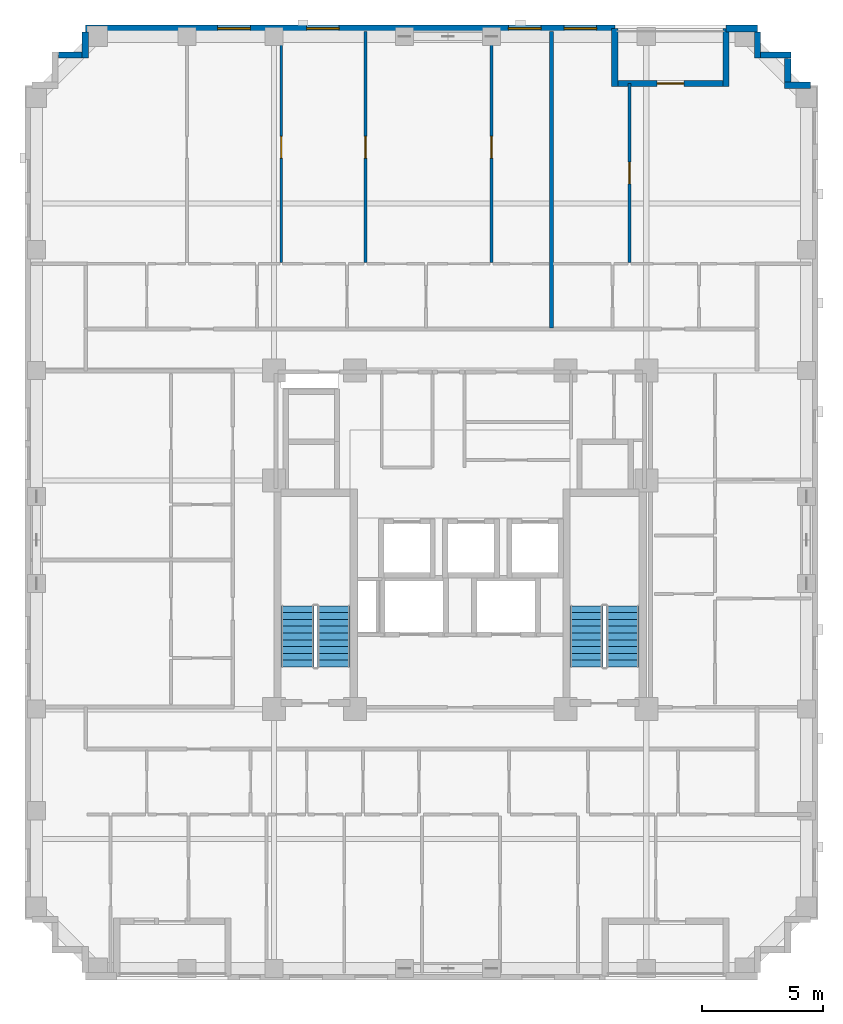
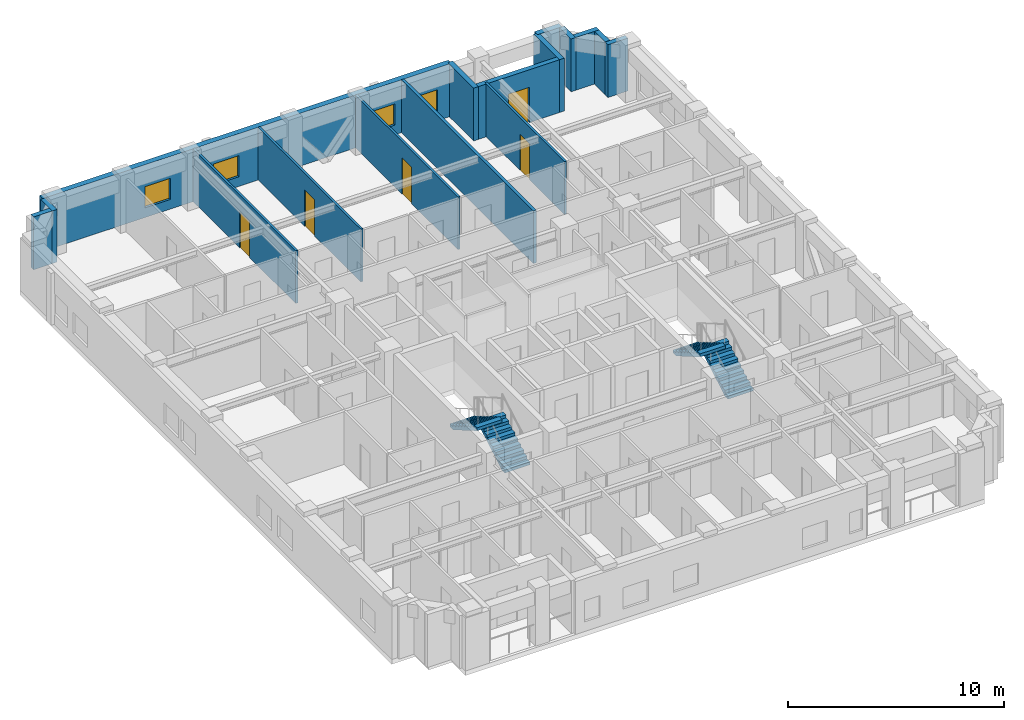
# One storey, part 8 of 12: 16 walls, 5 doors, 4 stair flights, 4 windows, 9 openings, 2 elements without a shape of their own.
"""IFC4 building model written with IfcOpenShell, lengths in metres."""

import ifcopenshell
import ifcopenshell.guid

model = None  # the IFC model being written
_history = None  # IfcOwnerHistory: only IFC2X3 demands one
_inside = {}  # id of a spatial element -> (the spatial element, [elements in it])
_under = {}  # id of a project, library or spatial element -> (it, [spatial elements below it])
_declared = {}  # id of a project -> (the project, [libraries it declares])
_typed = {}  # id of a type object -> (the type object, [elements of that type])
_made_of = {}  # id of a material, layer set ... -> (it, [elements and type objects made of it])


def new_model(schema):
    """Start an empty IFC model of exactly this schema.

    Asked for "IFC4X3", IfcOpenShell would pick the latest addendum, in which some entities
    have other attributes; the version numbers below select the first issue.
    IFC2X3 requires an IfcOwnerHistory on every rooted entity: one is made here for all.
    """
    global model, _history
    if schema == "IFC4X3":
        model = ifcopenshell.file(schema_version=(4, 3, 0, 0))
    else:
        model = ifcopenshell.file(schema=schema)
    _inside.clear()
    _under.clear()
    _declared.clear()
    _typed.clear()
    _made_of.clear()
    _history = None
    if model.schema == "IFC2X3":
        org = make("IfcOrganization", Name="unknown")
        user = make(
            "IfcPersonAndOrganization",
            ThePerson=make("IfcPerson", FamilyName="unknown"),
            TheOrganization=org,
        )
        app = make(
            "IfcApplication",
            ApplicationDeveloper=org,
            Version="unknown",
            ApplicationFullName="unknown",
            ApplicationIdentifier="unknown",
        )
        _history = make(
            "IfcOwnerHistory",
            OwningUser=user,
            OwningApplication=app,
            ChangeAction="ADDED",
            CreationDate=0,
        )
    return model


def make(cls, **values):
    """One entity of the class cls with the attributes given. An attribute that is None is left unset."""
    return model.create_entity(
        cls, **{name: value for name, value in values.items() if value is not None}
    )


def rooted(cls, **values):
    """An entity with a GlobalId (a new one), such as an element, a storey or a relation."""
    return make(cls, GlobalId=ifcopenshell.guid.new(), OwnerHistory=_history, **values)


def si_unit(unit_type, name, prefix=None):
    """IfcSIUnit, for example si_unit("LENGTHUNIT", "METRE", prefix="MILLI")."""
    return make("IfcSIUnit", UnitType=unit_type, Prefix=prefix, Name=name)


def derived_unit(unit_type, elements):
    """IfcDerivedUnit: a product of units, each with its exponent."""
    return make(
        "IfcDerivedUnit",
        Elements=[
            make("IfcDerivedUnitElement", Unit=unit, Exponent=power)
            for unit, power in elements
        ],
        UnitType=unit_type,
    )


def assignment(units):
    """IfcUnitAssignment: the units of a project."""
    return None if units is None else make("IfcUnitAssignment", Units=units)


def point(xyz):
    """IfcCartesianPoint."""
    return None if xyz is None else make("IfcCartesianPoint", Coordinates=xyz)


def direction(xyz):
    """IfcDirection."""
    return None if xyz is None else make("IfcDirection", DirectionRatios=xyz)


def frame(location, z_axis=None, x_axis=None):
    """IfcAxis2Placement3D, a coordinate frame: its origin and axes. An axis left out is left unset."""
    return make(
        "IfcAxis2Placement3D",
        Location=point(location),
        Axis=direction(z_axis),
        RefDirection=direction(x_axis),
    )


def frame_2d(location, x_axis=None):
    """IfcAxis2Placement2D, a coordinate frame in the plane: its origin and x axis."""
    return make(
        "IfcAxis2Placement2D", Location=point(location), RefDirection=direction(x_axis)
    )


def origin():
    """The frame at (0, 0, 0) with its axes left unset."""
    return frame((0.0, 0.0, 0.0))


def place(relative_to, where):
    """IfcLocalPlacement: puts the frame where relative to a parent placement (None: the world)."""
    return make(
        "IfcLocalPlacement", PlacementRelTo=relative_to, RelativePlacement=where
    )


def context(
    kind, dimensions, precision=None, world=None, true_north=None, identifier=None
):
    """IfcGeometricRepresentationContext, for example the 3D "Model" context."""
    return make(
        "IfcGeometricRepresentationContext",
        ContextIdentifier=identifier,
        ContextType=kind,
        CoordinateSpaceDimension=dimensions,
        Precision=precision,
        WorldCoordinateSystem=world,
        TrueNorth=true_north,
    )


def subcontext(parent, identifier, kind, view, scale=None):
    """IfcGeometricRepresentationSubContext, for example "Body" below "Model"."""
    return make(
        "IfcGeometricRepresentationSubContext",
        ContextIdentifier=identifier,
        ContextType=kind,
        ParentContext=parent,
        TargetScale=scale,
        TargetView=view,
    )


def project(units=None, contexts=None):
    """IfcProject with its units and contexts."""
    return rooted(
        "IfcProject",
        Name="project",
        RepresentationContexts=contexts,
        UnitsInContext=assignment(units),
    )


def spatial(cls, under=None, at=None, **own):
    """A site, building, storey or space (cls), placed at a placement, below another one or the project."""
    s = rooted(cls, ObjectPlacement=at, **own)
    if under is not None:
        _under.setdefault(under.id(), (under, []))[1].append(s)
    return s


def polyline(points):
    """IfcPolyline through the points."""
    return make("IfcPolyline", Points=[point(p) for p in points])


def profile(cls, at=None, kind="AREA", **sizes):
    """A parametric profile (cls). Its sizes go by their IFC names, for example OverallWidth=200.0."""
    return make(cls, ProfileType=kind, Position=at, **sizes)


def rectangle(**sizes):
    """IfcRectangleProfileDef."""
    return profile("IfcRectangleProfileDef", **sizes)


def outline(outer, holes=None, kind="AREA"):
    """IfcArbitraryClosedProfileDef: a profile drawn as a closed curve; with holes, ...WithVoids."""
    if holes is None:
        return make("IfcArbitraryClosedProfileDef", ProfileType=kind, OuterCurve=outer)
    return make(
        "IfcArbitraryProfileDefWithVoids",
        ProfileType=kind,
        OuterCurve=outer,
        InnerCurves=holes,
    )


def extrude(swept, where, along, depth):
    """IfcExtrudedAreaSolid: the profile swept, set in the frame where, extruded along a direction by depth."""
    return make(
        "IfcExtrudedAreaSolid",
        SweptArea=swept,
        Position=where,
        ExtrudedDirection=direction(along),
        Depth=depth,
    )


def shape(context_of_items, identifier, shape_type, items):
    """IfcShapeRepresentation: the items that make up one representation, for example the "Body"."""
    return make(
        "IfcShapeRepresentation",
        ContextOfItems=context_of_items,
        RepresentationIdentifier=identifier,
        RepresentationType=shape_type,
        Items=items,
    )


def material(Name=None, Category=None):
    """IfcMaterial."""
    return make("IfcMaterial", Name=Name, Category=Category)


def layer(
    of_material, thickness, ventilated=None, Name=None, Category=None, Priority=None
):
    """IfcMaterialLayer: one layer of a wall or slab, of a material (None: an air gap)."""
    return make(
        "IfcMaterialLayer",
        Material=of_material,
        LayerThickness=thickness,
        IsVentilated=ventilated,
        Name=Name,
        Category=Category,
        Priority=Priority,
    )


def layer_set(layers, Name=None):
    """IfcMaterialLayerSet."""
    return make("IfcMaterialLayerSet", MaterialLayers=layers, LayerSetName=Name)


def made_of(thing, what):
    """Note that an element or type object is made of a material, layer set ...; save() writes the relation."""
    if what is not None:
        _made_of.setdefault(what.id(), (what, []))[1].append(thing)
    return thing


def type_object(cls, material=None, **own):
    """A type object (cls), such as IfcWallType, which elements share."""
    return made_of(rooted(cls, **own), material)


def element(
    cls,
    number,
    at=None,
    inside=None,
    cuts=None,
    type_object=None,
    material=None,
    context=None,
    identifier="Body",
    shape_type=None,
    held_by="IfcProductDefinitionShape",
    body=None,
    shapes=None,
    **own,
):
    """One element of the class cls, such as IfcWall. Its Tag is "e" and its number.

    at: its placement. inside: the storey or other place that contains it. cuts: it is an
    opening in that element (IfcRelVoidsElement). A single representation is given by context,
    identifier, shape_type and body (its items); several are given by shapes. held_by: the class
    of the entity that holds the representations. save() writes the other relations.
    """
    e = rooted(cls, Tag="e%d" % number, ObjectPlacement=at, **own)
    if body is not None:
        shapes = [shape(context, identifier, shape_type, body)]
    if shapes is not None:
        e.Representation = make(held_by, Representations=shapes)
    if inside is not None:
        _inside.setdefault(inside.id(), (inside, []))[1].append(e)
    if cuts is not None:
        rooted(
            "IfcRelVoidsElement", RelatingBuildingElement=cuts, RelatedOpeningElement=e
        )
    if type_object is not None:
        _typed.setdefault(type_object.id(), (type_object, []))[1].append(e)
    return made_of(e, material)


def fill(opening, filler):
    """IfcRelFillsElement: the door or window that sits in an opening."""
    return rooted(
        "IfcRelFillsElement",
        RelatingOpeningElement=opening,
        RelatedBuildingElement=filler,
    )


def aggregate(whole, parts):
    """IfcRelAggregates: a whole, such as a stair, and the parts it consists of."""
    return rooted("IfcRelAggregates", RelatingObject=whole, RelatedObjects=parts)


def save(model, path):
    """Write the relations noted so far, then the file.

    IfcRelAggregates (storeys below a building ...), IfcRelContainedInSpatialStructure (elements
    in a storey), IfcRelDefinesByType, IfcRelAssociatesMaterial and IfcRelDeclares: one each for
    every whole, place, type object, material and project.
    """
    for whole, parts in _under.values():
        aggregate(whole, parts)
    for where, things in _inside.values():
        rooted(
            "IfcRelContainedInSpatialStructure",
            RelatedElements=things,
            RelatingStructure=where,
        )
    for kind, things in _typed.values():
        rooted("IfcRelDefinesByType", RelatedObjects=things, RelatingType=kind)
    for what, things in _made_of.values():
        rooted("IfcRelAssociatesMaterial", RelatedObjects=things, RelatingMaterial=what)
    for by, libraries in _declared.values():
        rooted("IfcRelDeclares", RelatingContext=by, RelatedDefinitions=libraries)
    model.write(path)


model = new_model("IFC4")

# Units and contexts
model_context = context("Model", 3, precision=1e-05, world=origin(), true_north=direction((0.0, 1.0)))
body_context = subcontext(model_context, "Body", "Model", "MODEL_VIEW")
ifc_project = project(units=[si_unit("LENGTHUNIT", "METRE"), si_unit("AREAUNIT", "SQUARE_METRE"), si_unit("VOLUMEUNIT", "CUBIC_METRE"), si_unit("PLANEANGLEUNIT", "RADIAN"), si_unit("MASSUNIT", "GRAM", prefix="KILO"), derived_unit("THERMALTRANSMITTANCEUNIT", [(si_unit("MASSUNIT", "GRAM", prefix="KILO"), 1), (si_unit("TIMEUNIT", "SECOND"), -3), (si_unit("THERMODYNAMICTEMPERATUREUNIT", "KELVIN"), -1)])], contexts=[model_context])

# Site, building, storey
site_placement = place(None, origin())
site = spatial("IfcSite", under=ifc_project, at=site_placement, CompositionType="ELEMENT")
building_placement = place(site_placement, origin())
building = spatial("IfcBuilding", under=site, at=building_placement, Name="Korrvale Station Residences", CompositionType="ELEMENT")
storey_placement = place(building_placement, frame((0.0, 0.0, 130.89990234375)))
storey = spatial("IfcBuildingStorey", under=building, at=storey_placement, Name="L37", CompositionType="ELEMENT", Elevation=130.89990234375)

# Wall
ifc_material_1 = material(Name="Precast concrete C45/55", Category="concrete")
ifc_layer_1 = layer(ifc_material_1, 0.260009765625, Name="Precast concrete C45/55")
ifc_layer_set_1 = layer_set([ifc_layer_1], Name="Precast concrete C45/55")
wall_type_1 = type_object("IfcWallType", Name="WAL-EXT-LOG260", PredefinedType="SOLIDWALL", material=ifc_layer_set_1)
wall_1_placement = place(storey_placement, frame((31.89990234375, 43.139892578125, 0.0), z_axis=(0.0, 0.0, 1.0), x_axis=(0.0, -1.0, 0.0)))
element("IfcWall", 1, at=wall_1_placement, inside=storey, type_object=wall_type_1, Name="L37 Recessed Loggia Wall BAL-L37-N1-L", PredefinedType="SOLIDWALL", context=body_context, shape_type="SweptSolid", body=[
    extrude(rectangle(XDim=2.39990234375, YDim=0.260009765625, at=frame_2d((1.199951171875, 0.0))), origin(), (0.0, 0.0, 1.0), 2.989990234375),
])

# Wall, opening, door
wall_2_placement = place(storey_placement, frame((32.033935546875, 40.8701171875, 0.0), z_axis=(0.0, 0.0, 1.0), x_axis=(1.0, 0.0, 0.0)))
wall_2 = element("IfcWall", 2, at=wall_2_placement, inside=storey, type_object=wall_type_1, Name="L37 Recessed Loggia Wall BAL-L37-N1-B", PredefinedType="SOLIDWALL", context=body_context, shape_type="SweptSolid", body=[
    extrude(rectangle(XDim=4.33203125, YDim=0.260009765625, at=frame_2d((2.166015625, 0.0))), origin(), (0.0, 0.0, 1.0), 2.989990234375),
])
opening_1_placement = place(wall_2_placement, frame((1.615966796875, 0.0, 0.0)))
opening_1 = element("IfcOpeningElement", 3, at=opening_1_placement, cuts=wall_2, Name="Opening BD-01", PredefinedType="OPENING", context=body_context, shape_type="SweptSolid", body=[
    extrude(rectangle(XDim=1.10009765625, YDim=2.0, at=frame_2d((0.550048828125, 1.0))), frame((0.0, 0.14013671875, 0.0), z_axis=(0.0, -1.0, 0.0), x_axis=(1.0, 0.0, 0.0)), (0.0, 0.0, 1.0), 0.280029296875),
])
ifc_material_2 = material(Name="Exterior thermally broken aluminium glazed balcony door", Category="aluminium")
door_type_1 = type_object("IfcDoorType", Name="DR-EXT-BAL", OperationType="NOTDEFINED", PredefinedType="DOOR", material=ifc_material_2)
door_1_placement = place(opening_1_placement, origin())
door_1 = element("IfcDoor", 4, at=door_1_placement, inside=storey, type_object=door_type_1, Name="L37 Loggia Balcony Door BAL-L37-N1", OperationType="SINGLE_SWING_LEFT", OverallHeight=2.0, OverallWidth=1.10009765625, PredefinedType="DOOR", context=body_context, shape_type="SweptSolid", body=[
    extrude(rectangle(XDim=1.10009765625, YDim=2.0, at=frame_2d((0.550048828125, 1.0))), frame((0.0, 0.02490234375, 0.0), z_axis=(0.0, -1.0, 0.0), x_axis=(1.0, 0.0, 0.0)), (0.0, 0.0, 1.0), 0.050048828125),
])
fill(opening_1, door_1)

# Walls
wall_3_placement = place(storey_placement, frame((36.5, 40.739990234375, 0.0), z_axis=(0.0, 0.0, 1.0), x_axis=(0.0, 1.0, 0.0)))
element("IfcWall", 5, at=wall_3_placement, inside=storey, type_object=wall_type_1, Name="L37 Recessed Loggia Wall BAL-L37-N1-R", PredefinedType="SOLIDWALL", context=body_context, shape_type="SweptSolid", body=[
    extrude(rectangle(XDim=2.39990234375, YDim=0.260009765625, at=frame_2d((1.199951171875, 0.0))), origin(), (0.0, 0.0, 1.0), 2.989990234375),
])
wall_4_placement = place(storey_placement, frame((8.882080078125, 42.050048828125, 0.0), z_axis=(0.0, 0.0, 1.0), x_axis=(1.0, 0.0, 0.0)))
element("IfcWall", 6, at=wall_4_placement, inside=storey, type_object=wall_type_1, Name="L37 Serrated Corner Precast Step NW-3", PredefinedType="SOLIDWALL", context=body_context, shape_type="SweptSolid", body=[
    extrude(rectangle(XDim=0.98583984375, YDim=0.260009765625, at=frame_2d((0.492919921875, 0.0))), origin(), (0.0, 0.0, 1.0), 2.989990234375),
])
for number, where, z_axis, x_axis, name in (
    (7, (10.0, 41.919921875, 0.0), (0.0, 0.0, 1.0), (0.0, 1.0, 0.0), "L37 Serrated Corner Precast Step NW-4"),
    (8, (37.800048828125, 42.998046875, 0.0), (0.0, 0.0, 1.0), (0.0, -1.0, 0.0), "L37 Serrated Corner Precast Step NE-1"),
):
    element("IfcWall", number, at=place(storey_placement, frame(where, z_axis=z_axis, x_axis=x_axis)), inside=storey, type_object=wall_type_1, Name=name, PredefinedType="SOLIDWALL", context=body_context, shape_type="SweptSolid", body=[
        extrude(rectangle(XDim=1.078125, YDim=0.260009765625, at=frame_2d((0.5390625, 0.0))), origin(), (0.0, 0.0, 1.0), 2.989990234375),
    ])
wall_5_placement = place(storey_placement, frame((37.931884765625, 42.050048828125, 0.0), z_axis=(0.0, 0.0, 1.0), x_axis=(1.0, 0.0, 0.0)))
element("IfcWall", 9, at=wall_5_placement, inside=storey, type_object=wall_type_1, Name="L37 Serrated Corner Precast Step NE-2", PredefinedType="SOLIDWALL", context=body_context, shape_type="SweptSolid", body=[
    extrude(rectangle(XDim=1.248046875, YDim=0.260009765625, at=frame_2d((0.6240234375, 0.0))), origin(), (0.0, 0.0, 1.0), 2.989990234375),
])
wall_6_placement = place(storey_placement, frame((39.050048828125, 41.91796875, 0.0), z_axis=(0.0, 0.0, 1.0), x_axis=(0.0, -1.0, 0.0)))
element("IfcWall", 10, at=wall_6_placement, inside=storey, type_object=wall_type_1, Name="L37 Serrated Corner Precast Step NE-3", PredefinedType="SOLIDWALL", context=body_context, shape_type="SweptSolid", body=[
    extrude(rectangle(XDim=0.986083984375, YDim=0.260009765625, at=frame_2d((0.4931640625, 0.0))), origin(), (0.0, 0.0, 1.0), 2.989990234375),
])
wall_7_placement = place(storey_placement, frame((38.919921875, 40.800048828125, 0.0), z_axis=(0.0, 0.0, 1.0), x_axis=(1.0, 0.0, 0.0)))
element("IfcWall", 11, at=wall_7_placement, inside=storey, type_object=wall_type_1, Name="L37 Serrated Corner Precast Step NE-4", PredefinedType="SOLIDWALL", context=body_context, shape_type="SweptSolid", body=[
    extrude(rectangle(XDim=1.078125, YDim=0.260009765625, at=frame_2d((0.5390625, 0.0))), origin(), (0.0, 0.0, 1.0), 2.989990234375),
])

# Wall, openings, windows
ifc_layer_2 = layer(ifc_material_1, 0.300048828125, Name="Precast concrete C45/55")
ifc_layer_set_2 = layer_set([ifc_layer_2], Name="Precast concrete C45/55")
wall_type_2 = type_object("IfcWallType", Name="WAL-EXT-PC300", PredefinedType="SOLIDWALL", material=ifc_layer_set_2)
wall_8_placement = place(storey_placement, frame((10.0, 43.14990234375, 0.0), z_axis=(0.0, 0.0, 1.0), x_axis=(1.0, 0.0, 0.0)))
wall_8 = element("IfcWall", 12, at=wall_8_placement, inside=storey, type_object=wall_type_2, Name="L37 North Exterior Precast Wall 1", PredefinedType="SOLIDWALL", context=body_context, shape_type="SweptSolid", body=[
    extrude(rectangle(XDim=21.89990234375, YDim=0.300048828125, at=frame_2d((10.949951171875, 0.0))), origin(), (0.0, 0.0, 1.0), 2.989990234375),
])
opening_2_placement = place(wall_8_placement, frame((5.47509765625, 0.0, 0.550048828125)))
opening_2 = element("IfcOpeningElement", 13, at=opening_2_placement, cuts=wall_8, Name="Opening W-10", PredefinedType="OPENING", context=body_context, shape_type="SweptSolid", body=[
    extrude(rectangle(XDim=1.35009765625, YDim=1.199951171875, at=frame_2d((0.675048828125, 0.60009765625))), frame((0.0, 0.16015625, 0.0), z_axis=(0.0, -1.0, 0.0), x_axis=(1.0, 0.0, 0.0)), (0.0, 0.0, 1.0), 0.320068359375),
])
opening_3_placement = place(wall_8_placement, frame((9.14990234375, 0.0, 0.550048828125)))
opening_3 = element("IfcOpeningElement", 14, at=opening_3_placement, cuts=wall_8, Name="Opening W-10", PredefinedType="OPENING", context=body_context, shape_type="SweptSolid", body=[
    extrude(rectangle(XDim=1.35009765625, YDim=1.199951171875, at=frame_2d((0.675048828125, 0.60009765625))), frame((0.0, 0.16015625, 0.0), z_axis=(0.0, -1.0, 0.0), x_axis=(1.0, 0.0, 0.0)), (0.0, 0.0, 1.0), 0.320068359375),
])
opening_4_placement = place(wall_8_placement, frame((17.5, 0.0, 0.550048828125)))
opening_4 = element("IfcOpeningElement", 15, at=opening_4_placement, cuts=wall_8, Name="Opening W-10", PredefinedType="OPENING", context=body_context, shape_type="SweptSolid", body=[
    extrude(rectangle(XDim=1.35009765625, YDim=1.199951171875, at=frame_2d((0.675048828125, 0.60009765625))), frame((0.0, 0.16015625, 0.0), z_axis=(0.0, -1.0, 0.0), x_axis=(1.0, 0.0, 0.0)), (0.0, 0.0, 1.0), 0.320068359375),
])
opening_5_placement = place(wall_8_placement, frame((19.800048828125, 0.0, 0.550048828125)))
opening_5 = element("IfcOpeningElement", 16, at=opening_5_placement, cuts=wall_8, Name="Opening W-10", PredefinedType="OPENING", context=body_context, shape_type="SweptSolid", body=[
    extrude(rectangle(XDim=1.35009765625, YDim=1.199951171875, at=frame_2d((0.675048828125, 0.60009765625))), frame((0.0, 0.16015625, 0.0), z_axis=(0.0, -1.0, 0.0), x_axis=(1.0, 0.0, 0.0)), (0.0, 0.0, 1.0), 0.320068359375),
])
ifc_material_3 = material(Name="Thermally broken aluminium frame with triple low-e glazing", Category="aluminium")
window_type = type_object("IfcWindowType", Name="WIN-W10", PartitioningType="SINGLE_PANEL", PredefinedType="WINDOW", material=ifc_material_3)
window_1_placement = place(opening_2_placement, origin())
window_1 = element("IfcWindow", 17, at=window_1_placement, inside=storey, type_object=window_type, Name="L37 Punched Window 11", OverallHeight=1.199951171875, OverallWidth=1.35009765625, PartitioningType="SINGLE_PANEL", PredefinedType="WINDOW", context=body_context, shape_type="SweptSolid", body=[
    extrude(rectangle(XDim=1.35009765625, YDim=1.199951171875, at=frame_2d((0.675048828125, 0.60009765625))), frame((0.0, 0.030029296875, 0.0), z_axis=(0.0, -1.0, 0.0), x_axis=(1.0, 0.0, 0.0)), (0.0, 0.0, 1.0), 0.06005859375),
])
fill(opening_2, window_1)
window_2_placement = place(opening_3_placement, origin())
window_2 = element("IfcWindow", 18, at=window_2_placement, inside=storey, type_object=window_type, Name="L37 Punched Window 12", OverallHeight=1.199951171875, OverallWidth=1.35009765625, PartitioningType="SINGLE_PANEL", PredefinedType="WINDOW", context=body_context, shape_type="SweptSolid", body=[
    extrude(rectangle(XDim=1.35009765625, YDim=1.199951171875, at=frame_2d((0.675048828125, 0.60009765625))), frame((0.0, 0.030029296875, 0.0), z_axis=(0.0, -1.0, 0.0), x_axis=(1.0, 0.0, 0.0)), (0.0, 0.0, 1.0), 0.06005859375),
])
fill(opening_3, window_2)
window_3_placement = place(opening_4_placement, origin())
window_3 = element("IfcWindow", 19, at=window_3_placement, inside=storey, type_object=window_type, Name="L37 Punched Window 13", OverallHeight=1.199951171875, OverallWidth=1.35009765625, PartitioningType="SINGLE_PANEL", PredefinedType="WINDOW", context=body_context, shape_type="SweptSolid", body=[
    extrude(rectangle(XDim=1.35009765625, YDim=1.199951171875, at=frame_2d((0.675048828125, 0.60009765625))), frame((0.0, 0.030029296875, 0.0), z_axis=(0.0, -1.0, 0.0), x_axis=(1.0, 0.0, 0.0)), (0.0, 0.0, 1.0), 0.06005859375),
])
fill(opening_4, window_3)
window_4_placement = place(opening_5_placement, origin())
window_4 = element("IfcWindow", 20, at=window_4_placement, inside=storey, type_object=window_type, Name="L37 Punched Window 14", OverallHeight=1.199951171875, OverallWidth=1.35009765625, PartitioningType="SINGLE_PANEL", PredefinedType="WINDOW", context=body_context, shape_type="SweptSolid", body=[
    extrude(rectangle(XDim=1.35009765625, YDim=1.199951171875, at=frame_2d((0.675048828125, 0.60009765625))), frame((0.0, 0.030029296875, 0.0), z_axis=(0.0, -1.0, 0.0), x_axis=(1.0, 0.0, 0.0)), (0.0, 0.0, 1.0), 0.06005859375),
])
fill(opening_5, window_4)

# Wall
wall_9_placement = place(storey_placement, frame((36.5, 43.14990234375, 0.0), z_axis=(0.0, 0.0, 1.0), x_axis=(1.0, 0.0, 0.0)))
element("IfcWall", 21, at=wall_9_placement, inside=storey, type_object=wall_type_2, Name="L37 North Exterior Precast Wall 2", PredefinedType="SOLIDWALL", context=body_context, shape_type="SweptSolid", body=[
    extrude(rectangle(XDim=1.300048828125, YDim=0.300048828125, at=frame_2d((0.64990234375, 0.0))), origin(), (0.0, 0.0, 1.0), 2.989990234375),
])

# Wall, opening, door
ifc_material_4 = material(Name="Acoustic steel-stud gypsum board partition", Category="steel")
ifc_layer_3 = layer(ifc_material_4, 0.1201171875, Name="Acoustic steel-stud gypsum board partition")
ifc_layer_set_3 = layer_set([ifc_layer_3], Name="Acoustic steel-stud gypsum board partition")
wall_type_3 = type_object("IfcWallType", Name="WAL-PART-125", PredefinedType="PARTITIONING", material=ifc_layer_set_3)
wall_10_placement = place(storey_placement, frame((18.10498046875, 33.47998046875, 0.0), z_axis=(0.0, 0.0, 1.0), x_axis=(0.0, 1.0, 0.0)))
wall_10 = element("IfcWall", 22, at=wall_10_placement, inside=storey, type_object=wall_type_3, Name="L37 Suite Partition U02-V67", PredefinedType="PARTITIONING", context=body_context, shape_type="SweptSolid", body=[
    extrude(rectangle(XDim=9.5400390625, YDim=0.1201171875, at=frame_2d((4.77001953125, 0.0))), origin(), (0.0, 0.0, 1.0), 2.989990234375),
])
opening_6_placement = place(wall_10_placement, frame((4.304931640625, 0.0, 0.0)))
opening_6 = element("IfcOpeningElement", 23, at=opening_6_placement, cuts=wall_10, Name="Opening DI-900", PredefinedType="OPENING", context=body_context, shape_type="SweptSolid", body=[
    extrude(rectangle(XDim=0.89990234375, YDim=2.050048828125, at=frame_2d((0.449951171875, 1.02490234375))), frame((0.0, 0.070068359375, 0.0), z_axis=(0.0, -1.0, 0.0), x_axis=(1.0, 0.0, 0.0)), (0.0, 0.0, 1.0), 0.14013671875),
])
ifc_material_5 = material(Name="Painted solid-core timber interior room door", Category="wood")
door_type_2 = type_object("IfcDoorType", Name="DR-INT-900", OperationType="NOTDEFINED", PredefinedType="DOOR", material=ifc_material_5)
door_2_placement = place(opening_6_placement, origin())
door_2 = element("IfcDoor", 24, at=door_2_placement, inside=storey, type_object=door_type_2, Name="L37 Apartment 1BR L37-U02 Formal Dining Room Door", OperationType="SINGLE_SWING_LEFT", OverallHeight=2.050048828125, OverallWidth=0.89990234375, PredefinedType="DOOR", context=body_context, shape_type="SweptSolid", body=[
    extrude(rectangle(XDim=0.89990234375, YDim=2.050048828125, at=frame_2d((0.449951171875, 1.02490234375))), frame((0.0, 0.02490234375, 0.0), z_axis=(0.0, -1.0, 0.0), x_axis=(1.0, 0.0, 0.0)), (0.0, 0.0, 1.0), 0.050048828125),
])
fill(opening_6, door_2)

wall_11_placement = place(storey_placement, frame((21.590087890625, 33.47998046875, 0.0), z_axis=(0.0, 0.0, 1.0), x_axis=(0.0, 1.0, 0.0)))
wall_11 = element("IfcWall", 25, at=wall_11_placement, inside=storey, type_object=wall_type_3, Name="L37 Suite Partition U02-V78", PredefinedType="PARTITIONING", context=body_context, shape_type="SweptSolid", body=[
    extrude(rectangle(XDim=9.5400390625, YDim=0.1201171875, at=frame_2d((4.77001953125, 0.0))), origin(), (0.0, 0.0, 1.0), 2.989990234375),
])
opening_7_placement = place(wall_11_placement, frame((4.304931640625, 0.0, 0.0)))
opening_7 = element("IfcOpeningElement", 26, at=opening_7_placement, cuts=wall_11, Name="Opening DI-900", PredefinedType="OPENING", context=body_context, shape_type="SweptSolid", body=[
    extrude(rectangle(XDim=0.89990234375, YDim=2.050048828125, at=frame_2d((0.449951171875, 1.02490234375))), frame((0.0, 0.070068359375, 0.0), z_axis=(0.0, -1.0, 0.0), x_axis=(1.0, 0.0, 0.0)), (0.0, 0.0, 1.0), 0.14013671875),
])
door_3_placement = place(opening_7_placement, origin())
door_3 = element("IfcDoor", 27, at=door_3_placement, inside=storey, type_object=door_type_2, Name="L37 Apartment 1BR L37-U02 Home Study Room Door", OperationType="SINGLE_SWING_RIGHT", OverallHeight=2.050048828125, OverallWidth=0.89990234375, PredefinedType="DOOR", context=body_context, shape_type="SweptSolid", body=[
    extrude(rectangle(XDim=0.89990234375, YDim=2.050048828125, at=frame_2d((0.449951171875, 1.02490234375))), frame((0.0, 0.02490234375, 0.0), z_axis=(0.0, -1.0, 0.0), x_axis=(1.0, 0.0, 0.0)), (0.0, 0.0, 1.0), 0.050048828125),
])
fill(opening_7, door_3)

wall_12_placement = place(storey_placement, frame((26.800048828125, 33.47998046875, 0.0), z_axis=(0.0, 0.0, 1.0), x_axis=(0.0, 1.0, 0.0)))
wall_12 = element("IfcWall", 28, at=wall_12_placement, inside=storey, type_object=wall_type_3, Name="L37 Suite Partition U02-V89", PredefinedType="PARTITIONING", context=body_context, shape_type="SweptSolid", body=[
    extrude(rectangle(XDim=9.5400390625, YDim=0.1201171875, at=frame_2d((4.77001953125, 0.0))), origin(), (0.0, 0.0, 1.0), 2.989990234375),
])
opening_8_placement = place(wall_12_placement, frame((4.304931640625, 0.0, 0.0)))
opening_8 = element("IfcOpeningElement", 29, at=opening_8_placement, cuts=wall_12, Name="Opening DI-900", PredefinedType="OPENING", context=body_context, shape_type="SweptSolid", body=[
    extrude(rectangle(XDim=0.89990234375, YDim=2.050048828125, at=frame_2d((0.449951171875, 1.02490234375))), frame((0.0, 0.070068359375, 0.0), z_axis=(0.0, -1.0, 0.0), x_axis=(1.0, 0.0, 0.0)), (0.0, 0.0, 1.0), 0.14013671875),
])
door_4_placement = place(opening_8_placement, origin())
door_4 = element("IfcDoor", 30, at=door_4_placement, inside=storey, type_object=door_type_2, Name="L37 Apartment 1BR L37-U02 Wardrobe Storage Room Door", OperationType="SINGLE_SWING_LEFT", OverallHeight=2.050048828125, OverallWidth=0.89990234375, PredefinedType="DOOR", context=body_context, shape_type="SweptSolid", body=[
    extrude(rectangle(XDim=0.89990234375, YDim=2.050048828125, at=frame_2d((0.449951171875, 1.02490234375))), frame((0.0, 0.02490234375, 0.0), z_axis=(0.0, -1.0, 0.0), x_axis=(1.0, 0.0, 0.0)), (0.0, 0.0, 1.0), 0.050048828125),
])
fill(opening_8, door_4)

wall_13_placement = place(storey_placement, frame((32.5029296875, 33.47998046875, 0.0), z_axis=(0.0, 0.0, 1.0), x_axis=(0.0, 1.0, 0.0)))
wall_13 = element("IfcWall", 31, at=wall_13_placement, inside=storey, type_object=wall_type_3, Name="L37 Suite Partition U03-V34", PredefinedType="PARTITIONING", context=body_context, shape_type="SweptSolid", body=[
    extrude(rectangle(XDim=7.39013671875, YDim=0.1201171875, at=frame_2d((3.695068359375, 0.0))), origin(), (0.0, 0.0, 1.0), 2.989990234375),
])
opening_9_placement = place(wall_13_placement, frame((3.2451171875, 0.0, 0.0)))
opening_9 = element("IfcOpeningElement", 32, at=opening_9_placement, cuts=wall_13, Name="Opening DI-900", PredefinedType="OPENING", context=body_context, shape_type="SweptSolid", body=[
    extrude(rectangle(XDim=0.89990234375, YDim=2.050048828125, at=frame_2d((0.449951171875, 1.02490234375))), frame((0.0, 0.070068359375, 0.0), z_axis=(0.0, -1.0, 0.0), x_axis=(1.0, 0.0, 0.0)), (0.0, 0.0, 1.0), 0.14013671875),
])
door_5_placement = place(opening_9_placement, origin())
door_5 = element("IfcDoor", 33, at=door_5_placement, inside=storey, type_object=door_type_2, Name="L37 Studio Apartment L37-U03 Formal Dining Room Door", OperationType="SINGLE_SWING_RIGHT", OverallHeight=2.050048828125, OverallWidth=0.89990234375, PredefinedType="DOOR", context=body_context, shape_type="SweptSolid", body=[
    extrude(rectangle(XDim=0.89990234375, YDim=2.050048828125, at=frame_2d((0.449951171875, 1.02490234375))), frame((0.0, 0.02490234375, 0.0), z_axis=(0.0, -1.0, 0.0), x_axis=(1.0, 0.0, 0.0)), (0.0, 0.0, 1.0), 0.050048828125),
])
fill(opening_9, door_5)

# Wall
ifc_material_6 = material(Name="Fire-rated twin-stud gypsum and mineral wool shaftwall assembly", Category="gypsum")
ifc_layer_4 = layer(ifc_material_6, 0.159912109375, Name="Fire-rated twin-stud gypsum and mineral wool shaftwall assembly")
ifc_layer_set_4 = layer_set([ifc_layer_4], Name="Fire-rated twin-stud gypsum and mineral wool shaftwall assembly")
wall_type_4 = type_object("IfcWallType", Name="WAL-PART-200", PredefinedType="PARTITIONING", material=ifc_layer_set_4)
wall_14_placement = place(storey_placement, frame((29.282958984375, 30.760009765625, 0.0), z_axis=(0.0, 0.0, 1.0), x_axis=(0.0, 1.0, 0.0)))
element("IfcWall", 34, at=wall_14_placement, inside=storey, type_object=wall_type_4, Name="L37 Demising Wall U03-W", PredefinedType="PARTITIONING", context=body_context, shape_type="SweptSolid", body=[
    extrude(rectangle(XDim=12.260009765625, YDim=0.159912109375, at=frame_2d((6.1298828125, 0.0))), origin(), (0.0, 0.0, 1.0), 2.989990234375),
])

# Stair, stair flights
ifc_material_7 = material(Name="Concrete C50/60", Category="concrete")
stair_type = type_object("IfcStairType", Name="STR-DL-1350-20R-1625", PredefinedType="HALF_TURN_STAIR", material=ifc_material_7)
stair_1_placement = place(storey_placement, origin())
stair_1 = element("IfcStair", 35, at=stair_1_placement, inside=storey, type_object=stair_type, Name="L37 Exit Stair 1", PredefinedType="HALF_TURN_STAIR")
stair_flight_type = type_object("IfcStairFlightType", Name="FLT-DL-1350-20R-1625", PredefinedType="STRAIGHT", material=ifc_material_7)
stair_flight_1_placement = place(storey_placement, frame((20.27490234375, 16.75, 0.0), z_axis=(0.0, 0.0, 1.0), x_axis=(0.0, 1.0, 0.0)))
stair_flight_1 = element("IfcStairFlight", 36, at=stair_flight_1_placement, type_object=stair_flight_type, Name="ST-1 flight 1", NumberOfRisers=10, NumberOfTreads=9, PredefinedType="STRAIGHT", RiserHeight=0.1625, TreadLength=0.28, context=body_context, shape_type="SweptSolid", body=[
    extrude(outline(polyline([(0.0, 0.0), (0.0, 0.16259765625), (0.280029296875, 0.16259765625), (0.280029296875, 0.324951171875), (0.56005859375, 0.324951171875), (0.56005859375, 0.487548828125), (0.840087890625, 0.487548828125), (0.840087890625, 0.64990234375), (1.1201171875, 0.64990234375), (1.1201171875, 0.8125), (1.39990234375, 0.8125), (1.39990234375, 0.97509765625), (1.679931640625, 0.97509765625), (1.679931640625, 1.137451171875), (1.9599609375, 1.137451171875), (1.9599609375, 1.300048828125), (2.239990234375, 1.300048828125), (2.239990234375, 1.46240234375), (2.52001953125, 1.46240234375), (2.52001953125, 1.625), (2.52001953125, 1.2890625), (0.298583984375, 0.0), (0.0, 0.0)])), frame((0.0, 0.675048828125, 0.0), z_axis=(0.0, -1.0, 0.0), x_axis=(1.0, 0.0, 0.0)), (0.0, 0.0, 1.0), 1.35009765625),
])
stair_flight_2_placement = place(storey_placement, frame((18.77490234375, 19.27001953125, 1.625), z_axis=(0.0, 0.0, 1.0), x_axis=(0.0, -1.0, 0.0)))
stair_flight_2 = element("IfcStairFlight", 37, at=stair_flight_2_placement, type_object=stair_flight_type, Name="ST-1 flight 2", NumberOfRisers=10, NumberOfTreads=9, PredefinedType="STRAIGHT", RiserHeight=0.1625, TreadLength=0.28, context=body_context, shape_type="SweptSolid", body=[
    extrude(outline(polyline([(0.0, 0.0), (0.0, 0.16259765625), (0.280029296875, 0.16259765625), (0.280029296875, 0.324951171875), (0.56005859375, 0.324951171875), (0.56005859375, 0.487548828125), (0.840087890625, 0.487548828125), (0.840087890625, 0.64990234375), (1.1201171875, 0.64990234375), (1.1201171875, 0.8125), (1.39990234375, 0.8125), (1.39990234375, 0.97509765625), (1.679931640625, 0.97509765625), (1.679931640625, 1.137451171875), (1.9599609375, 1.137451171875), (1.9599609375, 1.300048828125), (2.239990234375, 1.300048828125), (2.239990234375, 1.46240234375), (2.52001953125, 1.46240234375), (2.52001953125, 1.625), (2.52001953125, 1.2890625), (0.298583984375, 0.0), (0.0, 0.0)])), frame((0.0, 0.675048828125, 0.0), z_axis=(0.0, -1.0, 0.0), x_axis=(1.0, 0.0, 0.0)), (0.0, 0.0, 1.0), 1.35009765625),
])
aggregate(stair_1, [stair_flight_1, stair_flight_2])

stair_2_placement = place(storey_placement, origin())
stair_2 = element("IfcStair", 38, at=stair_2_placement, inside=storey, type_object=stair_type, Name="L37 Exit Stair 2", PredefinedType="HALF_TURN_STAIR")
stair_flight_3_placement = place(storey_placement, frame((32.22509765625, 16.75, 0.0), z_axis=(0.0, 0.0, 1.0), x_axis=(0.0, 1.0, 0.0)))
stair_flight_3 = element("IfcStairFlight", 39, at=stair_flight_3_placement, type_object=stair_flight_type, Name="ST-2 flight 1", NumberOfRisers=10, NumberOfTreads=9, PredefinedType="STRAIGHT", RiserHeight=0.1625, TreadLength=0.28, context=body_context, shape_type="SweptSolid", body=[
    extrude(outline(polyline([(0.0, 0.0), (0.0, 0.16259765625), (0.280029296875, 0.16259765625), (0.280029296875, 0.324951171875), (0.56005859375, 0.324951171875), (0.56005859375, 0.487548828125), (0.840087890625, 0.487548828125), (0.840087890625, 0.64990234375), (1.1201171875, 0.64990234375), (1.1201171875, 0.8125), (1.39990234375, 0.8125), (1.39990234375, 0.97509765625), (1.679931640625, 0.97509765625), (1.679931640625, 1.137451171875), (1.9599609375, 1.137451171875), (1.9599609375, 1.300048828125), (2.239990234375, 1.300048828125), (2.239990234375, 1.46240234375), (2.52001953125, 1.46240234375), (2.52001953125, 1.625), (2.52001953125, 1.2890625), (0.298583984375, 0.0), (0.0, 0.0)])), frame((0.0, 0.675048828125, 0.0), z_axis=(0.0, -1.0, 0.0), x_axis=(1.0, 0.0, 0.0)), (0.0, 0.0, 1.0), 1.35009765625),
])
stair_flight_4_placement = place(storey_placement, frame((30.72509765625, 19.27001953125, 1.625), z_axis=(0.0, 0.0, 1.0), x_axis=(0.0, -1.0, 0.0)))
stair_flight_4 = element("IfcStairFlight", 40, at=stair_flight_4_placement, type_object=stair_flight_type, Name="ST-2 flight 2", NumberOfRisers=10, NumberOfTreads=9, PredefinedType="STRAIGHT", RiserHeight=0.1625, TreadLength=0.28, context=body_context, shape_type="SweptSolid", body=[
    extrude(outline(polyline([(0.0, 0.0), (0.0, 0.16259765625), (0.280029296875, 0.16259765625), (0.280029296875, 0.324951171875), (0.56005859375, 0.324951171875), (0.56005859375, 0.487548828125), (0.840087890625, 0.487548828125), (0.840087890625, 0.64990234375), (1.1201171875, 0.64990234375), (1.1201171875, 0.8125), (1.39990234375, 0.8125), (1.39990234375, 0.97509765625), (1.679931640625, 0.97509765625), (1.679931640625, 1.137451171875), (1.9599609375, 1.137451171875), (1.9599609375, 1.300048828125), (2.239990234375, 1.300048828125), (2.239990234375, 1.46240234375), (2.52001953125, 1.46240234375), (2.52001953125, 1.625), (2.52001953125, 1.2890625), (0.298583984375, 0.0), (0.0, 0.0)])), frame((0.0, 0.675048828125, 0.0), z_axis=(0.0, -1.0, 0.0), x_axis=(1.0, 0.0, 0.0)), (0.0, 0.0, 1.0), 1.35009765625),
])
aggregate(stair_2, [stair_flight_3, stair_flight_4])

save(model, "model.ifc")
